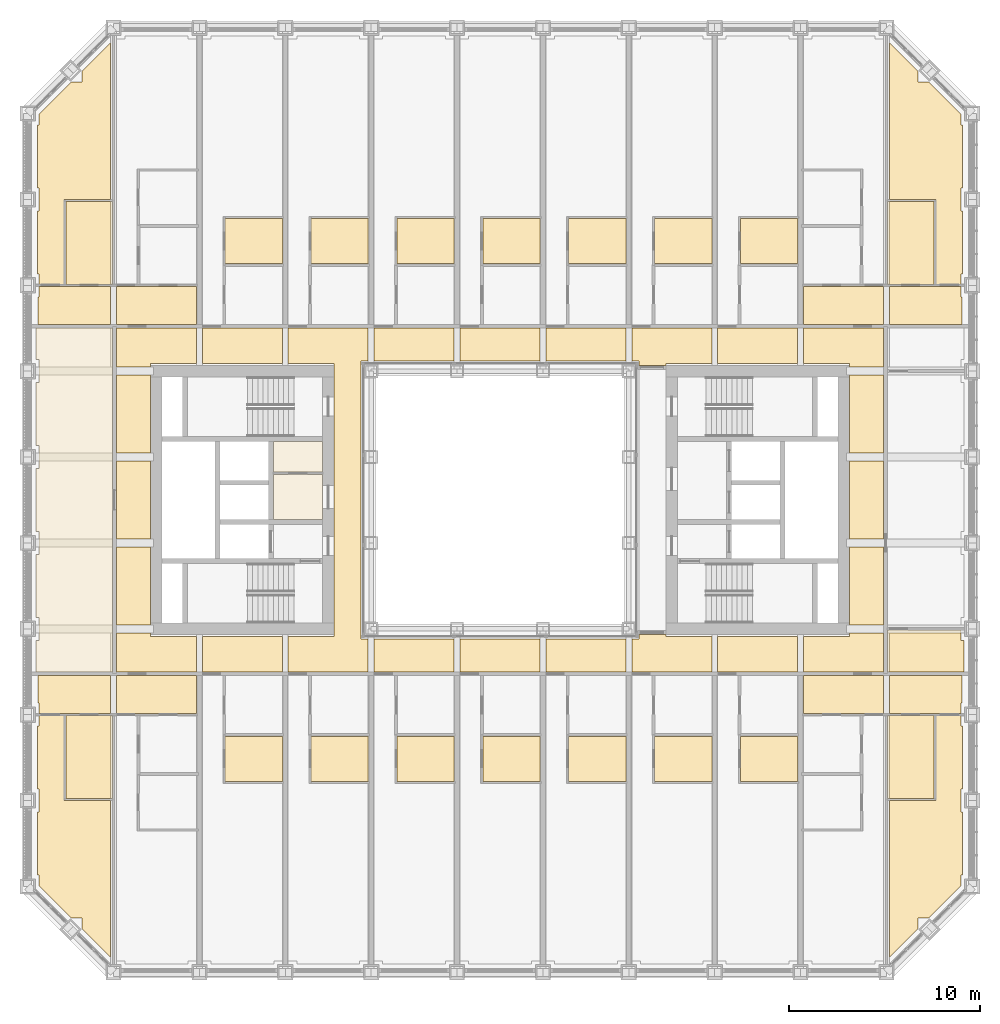
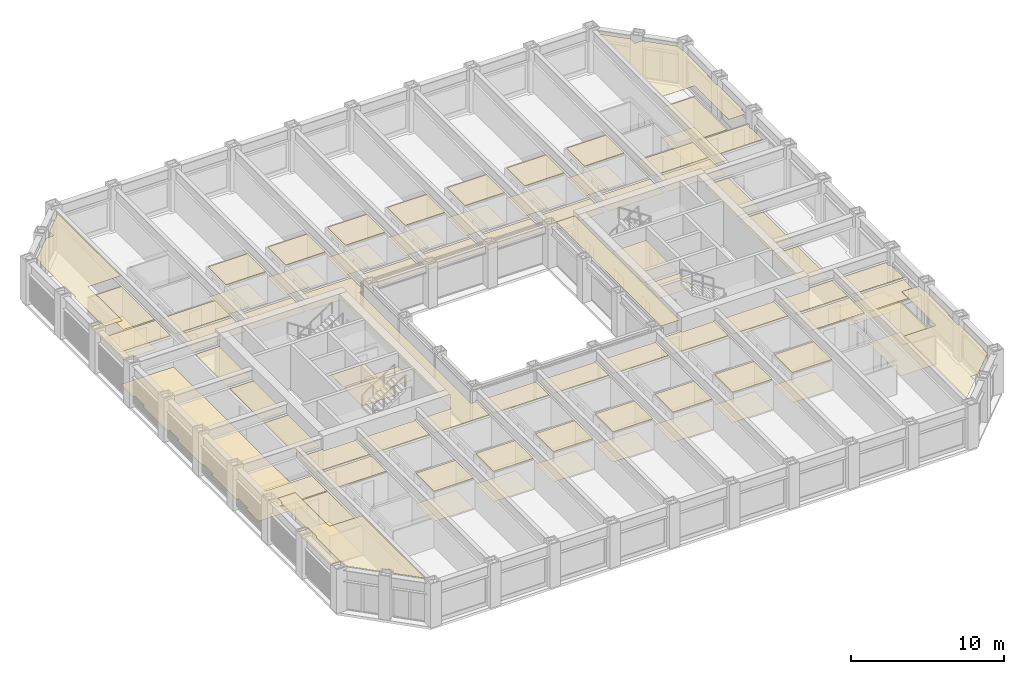
# One storey, part 19 of 21: 4 coverings.
"""IFC4 building model written with IfcOpenShell, lengths in metres."""

from ifc_helpers import new_model, si_unit, direction, frame, origin, place, context, subcontext, project, spatial, line, indexed_curve, outline, extrude, material, layer, layer_set, type_object, element, save


model = new_model("IFC4")

# Units and contexts
model_context = context("Model", 3, precision=1e-05, world=origin(), true_north=direction((0.0, 1.0)))
body_context = subcontext(model_context, "Body", "Model", "MODEL_VIEW")
ifc_project = project(units=[si_unit("LENGTHUNIT", "METRE"), si_unit("AREAUNIT", "SQUARE_METRE"), si_unit("VOLUMEUNIT", "CUBIC_METRE"), si_unit("PLANEANGLEUNIT", "RADIAN"), si_unit("MASSUNIT", "GRAM", prefix="KILO")], contexts=[model_context])

# Site, building, storey
site_placement = place(None, origin())
site = spatial("IfcSite", under=ifc_project, at=site_placement, CompositionType="ELEMENT")
building_placement = place(site_placement, origin())
building = spatial("IfcBuilding", under=site, at=building_placement, Name="Msasa Ring Tower", CompositionType="ELEMENT")
storey_placement = place(building_placement, frame((0.0, 0.0, 30.0)))
storey = spatial("IfcBuildingStorey", under=building, at=storey_placement, Name="L06", CompositionType="ELEMENT", Elevation=30.0)

# Coverings
ifc_material_1 = material(Name="Gypsum plasterboard on a steel suspension grid", Category="steel")
ifc_layer_1 = layer(ifc_material_1, 0.014892578125)
ifc_layer_set_1 = layer_set([ifc_layer_1], Name="C1 SUSPENDED PLASTERBOARD CEILING 15")
covering_type_1 = type_object("IfcCoveringType", Name="C1 SUSPENDED PLASTERBOARD CEILING 15", PredefinedType="CEILING", material=ifc_layer_set_1)
covering_1_placement = place(storey_placement, frame((0.0, 0.0, 2.39990234375)))
element("IfcCovering", 1, at=covering_1_placement, inside=storey, type_object=covering_type_1, Name="Suspended Plasterboard Ceiling 15 circulation L06", PredefinedType="CEILING", context=body_context, shape_type="SweptSolid", body=[
    extrude(outline(indexed_curve([(-24.1494140625, -11.199462890625), (-24.1494140625, -10.6494140625), (-24.199462890625, -10.6494140625), (-24.199462890625, -9.200439453125), (-20.404296875, -9.200439453125), (-20.404296875, -11.199462890625)], segments=[line(1, 2, 3, 4, 5, 6, 1)], self_intersect=False)), origin(), (0.0, 0.0, 1.0), 0.01513671875),
    extrude(outline(indexed_curve([(-24.199462890625, 9.200439453125), (-24.199462890625, 10.6494140625), (-24.1494140625, 10.6494140625), (-24.1494140625, 11.199462890625), (-20.404296875, 11.199462890625), (-20.404296875, 9.200439453125)], segments=[line(1, 2, 3, 4, 5, 6, 1)], self_intersect=False)), origin(), (0.0, 0.0, 1.0), 0.01513671875),
    extrude(outline(indexed_curve([(-20.099609375, -2.460693359375), (-18.300537109375, -2.460693359375), (-18.300537109375, -6.539306640625), (-20.099609375, -6.539306640625)], segments=[line(1, 2, 3, 4, 1)], self_intersect=False)), origin(), (0.0, 0.0, 1.0), 0.01513671875),
    extrude(outline(indexed_curve([(-20.099609375, 2.039306640625), (-18.300537109375, 2.039306640625), (-18.300537109375, -2.039306640625), (-20.099609375, -2.039306640625)], segments=[line(1, 2, 3, 4, 1)], self_intersect=False)), origin(), (0.0, 0.0, 1.0), 0.01513671875),
    extrude(outline(indexed_curve([(-20.099609375, 6.539306640625), (-18.300537109375, 6.539306640625), (-18.300537109375, 2.460693359375), (-20.099609375, 2.460693359375)], segments=[line(1, 2, 3, 4, 1)], self_intersect=False)), origin(), (0.0, 0.0, 1.0), 0.01513671875),
    extrude(outline(indexed_curve([(-20.095703125, -11.199462890625), (-20.095703125, -9.200439453125), (-15.904296875, -9.200439453125), (-15.904296875, -11.199462890625)], segments=[line(1, 2, 3, 4, 1)], self_intersect=False)), origin(), (0.0, 0.0, 1.0), 0.01513671875),
    extrude(outline(indexed_curve([(-20.095703125, -8.99951171875), (-20.095703125, -6.960693359375), (-18.300537109375, -6.960693359375), (-18.300537109375, -7.150390625), (-15.904296875, -7.150390625), (-15.904296875, -8.99951171875)], segments=[line(1, 2, 3, 4, 5, 6, 1)], self_intersect=False)), origin(), (0.0, 0.0, 1.0), 0.01513671875),
    extrude(outline(indexed_curve([(-15.904296875, 8.99951171875), (-15.904296875, 7.150390625), (-18.300537109375, 7.150390625), (-18.300537109375, 6.960693359375), (-20.095703125, 6.960693359375), (-20.095703125, 8.99951171875)], segments=[line(1, 2, 3, 4, 5, 6, 1)], self_intersect=False)), origin(), (0.0, 0.0, 1.0), 0.01513671875),
    extrude(outline(indexed_curve([(-20.095703125, 9.200439453125), (-20.095703125, 11.199462890625), (-15.904296875, 11.199462890625), (-15.904296875, 9.200439453125)], segments=[line(1, 2, 3, 4, 1)], self_intersect=False)), origin(), (0.0, 0.0, 1.0), 0.01513671875),
    extrude(outline(indexed_curve([(-15.595703125, -8.99951171875), (-15.595703125, -7.150390625), (-11.404296875, -7.150390625), (-11.404296875, -8.99951171875)], segments=[line(1, 2, 3, 4, 1)], self_intersect=False)), origin(), (0.0, 0.0, 1.0), 0.01513671875),
    extrude(outline(indexed_curve([(-11.404296875, 8.99951171875), (-11.404296875, 7.150390625), (-15.595703125, 7.150390625), (-15.595703125, 8.99951171875)], segments=[line(1, 2, 3, 4, 1)], self_intersect=False)), origin(), (0.0, 0.0, 1.0), 0.01513671875),
    extrude(outline(indexed_curve([(-11.87451171875, -3.074462890625), (-11.87451171875, -1.275390625), (-9.300537109375, -1.275390625), (-9.300537109375, -3.074462890625)], segments=[line(1, 2, 3, 4, 1)], self_intersect=False)), origin(), (0.0, 0.0, 1.0), 0.01513671875),
    extrude(outline(indexed_curve([(-11.095703125, -8.99951171875), (-11.095703125, -7.150390625), (-8.699462890625, -7.150390625), (-8.699462890625, 7.150390625), (-11.095703125, 7.150390625), (-11.095703125, 8.99951171875), (-6.904296875, 8.99951171875), (-6.904296875, 7.280029296875), (-7.275390625, 7.275390625), (-7.280517578125, 7.23046875), (-7.280517578125, -7.23046875), (-7.275390625, -7.275390625), (-6.904296875, -7.280029296875), (-6.904296875, -8.99951171875)], segments=[line(1, 2, 3, 4, 5, 6, 7, 8, 9, 10, 11, 12, 13, 14, 1)], self_intersect=False)), origin(), (0.0, 0.0, 1.0), 0.01513671875),
    extrude(outline(indexed_curve([(-6.595703125, -8.99951171875), (-6.595703125, -7.280029296875), (-2.404296875, -7.280029296875), (-2.404296875, -8.99951171875)], segments=[line(1, 2, 3, 4, 1)], self_intersect=False)), origin(), (0.0, 0.0, 1.0), 0.01513671875),
    extrude(outline(indexed_curve([(-2.404296875, 8.99951171875), (-2.404296875, 7.280029296875), (-6.595703125, 7.280029296875), (-6.595703125, 8.99951171875)], segments=[line(1, 2, 3, 4, 1)], self_intersect=False)), origin(), (0.0, 0.0, 1.0), 0.01513671875),
    extrude(outline(indexed_curve([(-2.095703125, -8.99951171875), (-2.095703125, -7.280029296875), (2.095703125, -7.280029296875), (2.095703125, -8.99951171875)], segments=[line(1, 2, 3, 4, 1)], self_intersect=False)), origin(), (0.0, 0.0, 1.0), 0.01513671875),
    extrude(outline(indexed_curve([(2.095703125, 8.99951171875), (2.095703125, 7.280029296875), (-2.095703125, 7.280029296875), (-2.095703125, 8.99951171875)], segments=[line(1, 2, 3, 4, 1)], self_intersect=False)), origin(), (0.0, 0.0, 1.0), 0.01513671875),
    extrude(outline(indexed_curve([(2.404296875, -8.99951171875), (2.404296875, -7.280029296875), (6.595703125, -7.280029296875), (6.595703125, -8.99951171875)], segments=[line(1, 2, 3, 4, 1)], self_intersect=False)), origin(), (0.0, 0.0, 1.0), 0.01513671875),
    extrude(outline(indexed_curve([(6.595703125, 8.99951171875), (6.595703125, 7.280029296875), (2.404296875, 7.280029296875), (2.404296875, 8.99951171875)], segments=[line(1, 2, 3, 4, 1)], self_intersect=False)), origin(), (0.0, 0.0, 1.0), 0.01513671875),
    extrude(outline(indexed_curve([(6.904296875, -8.99951171875), (6.904296875, -7.280029296875), (7.275390625, -7.275390625), (7.280029296875, -7.050537109375), (8.699462890625, -7.050537109375), (8.699462890625, -7.150390625), (11.095703125, -7.150390625), (11.095703125, -8.99951171875)], segments=[line(1, 2, 3, 4, 5, 6, 7, 8, 1)], self_intersect=False)), origin(), (0.0, 0.0, 1.0), 0.01513671875),
    extrude(outline(indexed_curve([(11.095703125, 8.99951171875), (11.095703125, 7.150390625), (8.699462890625, 7.150390625), (8.699462890625, 7.050537109375), (7.280029296875, 7.050537109375), (7.275390625, 7.275390625), (6.904296875, 7.280029296875), (6.904296875, 8.99951171875)], segments=[line(1, 2, 3, 4, 5, 6, 7, 8, 1)], self_intersect=False)), origin(), (0.0, 0.0, 1.0), 0.01513671875),
    extrude(outline(indexed_curve([(9.300537109375, -3.074462890625), (9.300537109375, -1.275390625), (11.87451171875, -1.275390625), (11.87451171875, -3.074462890625)], segments=[line(1, 2, 3, 4, 1)], self_intersect=False)), origin(), (0.0, 0.0, 1.0), 0.01513671875),
    extrude(outline(indexed_curve([(9.300537109375, -1.0244140625), (9.300537109375, 3.074462890625), (11.87451171875, 3.074462890625), (11.87451171875, -1.0244140625)], segments=[line(1, 2, 3, 4, 1)], self_intersect=False)), origin(), (0.0, 0.0, 1.0), 0.01513671875),
    extrude(outline(indexed_curve([(11.404296875, -8.99951171875), (11.404296875, -7.150390625), (15.595703125, -7.150390625), (15.595703125, -8.99951171875)], segments=[line(1, 2, 3, 4, 1)], self_intersect=False)), origin(), (0.0, 0.0, 1.0), 0.01513671875),
    extrude(outline(indexed_curve([(15.595703125, 8.99951171875), (15.595703125, 7.150390625), (11.404296875, 7.150390625), (11.404296875, 8.99951171875)], segments=[line(1, 2, 3, 4, 1)], self_intersect=False)), origin(), (0.0, 0.0, 1.0), 0.01513671875),
    extrude(outline(indexed_curve([(15.904296875, -11.199462890625), (15.904296875, -9.200439453125), (20.095703125, -9.200439453125), (20.095703125, -11.199462890625)], segments=[line(1, 2, 3, 4, 1)], self_intersect=False)), origin(), (0.0, 0.0, 1.0), 0.01513671875),
    extrude(outline(indexed_curve([(15.904296875, -8.99951171875), (15.904296875, -7.150390625), (18.300537109375, -7.150390625), (18.300537109375, -6.960693359375), (20.095703125, -6.960693359375), (20.095703125, -8.99951171875)], segments=[line(1, 2, 3, 4, 5, 6, 1)], self_intersect=False)), origin(), (0.0, 0.0, 1.0), 0.01513671875),
    extrude(outline(indexed_curve([(20.095703125, 8.99951171875), (20.095703125, 6.960693359375), (18.300537109375, 6.960693359375), (18.300537109375, 7.150390625), (15.904296875, 7.150390625), (15.904296875, 8.99951171875)], segments=[line(1, 2, 3, 4, 5, 6, 1)], self_intersect=False)), origin(), (0.0, 0.0, 1.0), 0.01513671875),
    extrude(outline(indexed_curve([(15.904296875, 9.200439453125), (15.904296875, 11.199462890625), (20.095703125, 11.199462890625), (20.095703125, 9.200439453125)], segments=[line(1, 2, 3, 4, 1)], self_intersect=False)), origin(), (0.0, 0.0, 1.0), 0.01513671875),
    extrude(outline(indexed_curve([(20.099609375, -6.539306640625), (18.300537109375, -6.539306640625), (18.300537109375, -2.460693359375), (20.099609375, -2.460693359375)], segments=[line(1, 2, 3, 4, 1)], self_intersect=False)), origin(), (0.0, 0.0, 1.0), 0.01513671875),
    extrude(outline(indexed_curve([(20.099609375, -2.039306640625), (18.300537109375, -2.039306640625), (18.300537109375, 2.039306640625), (20.099609375, 2.039306640625)], segments=[line(1, 2, 3, 4, 1)], self_intersect=False)), origin(), (0.0, 0.0, 1.0), 0.01513671875),
    extrude(outline(indexed_curve([(20.099609375, 2.460693359375), (18.300537109375, 2.460693359375), (18.300537109375, 6.539306640625), (20.099609375, 6.539306640625)], segments=[line(1, 2, 3, 4, 1)], self_intersect=False)), origin(), (0.0, 0.0, 1.0), 0.01513671875),
    extrude(outline(indexed_curve([(20.404296875, -11.199462890625), (20.404296875, -9.200439453125), (24.199462890625, -9.200439453125), (24.199462890625, -10.6494140625), (24.1494140625, -10.6494140625), (24.1494140625, -11.199462890625)], segments=[line(1, 2, 3, 4, 5, 6, 1)], self_intersect=False)), origin(), (0.0, 0.0, 1.0), 0.01513671875),
    extrude(outline(indexed_curve([(20.404296875, 9.200439453125), (20.404296875, 11.199462890625), (24.1494140625, 11.199462890625), (24.1494140625, 10.6494140625), (24.199462890625, 10.6494140625), (24.199462890625, 9.200439453125)], segments=[line(1, 2, 3, 4, 5, 6, 1)], self_intersect=False)), origin(), (0.0, 0.0, 1.0), 0.01513671875),
])
covering_2_placement = place(storey_placement, frame((0.0, 0.0, 3.175048828125)))
element("IfcCovering", 2, at=covering_2_placement, inside=storey, type_object=covering_type_1, Name="Suspended Plasterboard Ceiling 15 public rooms L06", PredefinedType="CEILING", context=body_context, shape_type="SweptSolid", body=[
    extrude(outline(indexed_curve([(-20.404296875, -15.74267578125), (-20.404296875, -23.95849609375), (-21.8994140625, -22.46337890625), (-21.8994140625, -21.8994140625), (-22.46337890625, -21.8994140625), (-24.1494140625, -20.21337890625), (-24.1494140625, -19.6494140625), (-24.239501953125, -19.6494140625), (-24.239501953125, -16.3505859375), (-24.1494140625, -16.3505859375), (-24.1494140625, -15.1494140625), (-24.239501953125, -15.1494140625), (-24.239501953125, -11.8505859375), (-24.1494140625, -11.8505859375), (-24.1494140625, -11.300537109375), (-22.8505859375, -11.300537109375), (-22.8505859375, -15.74267578125)], segments=[line(1, 2, 3, 4, 5, 6, 7, 8, 9, 10, 11, 12, 13, 14, 15, 16, 17, 1)], self_intersect=False)), origin(), (0.0, 0.0, 1.0), 0.014892578125),
    extrude(outline(indexed_curve([(-22.8505859375, 11.300537109375), (-24.1494140625, 11.300537109375), (-24.1494140625, 11.8505859375), (-24.239501953125, 11.8505859375), (-24.239501953125, 15.1494140625), (-24.1494140625, 15.1494140625), (-24.1494140625, 16.3505859375), (-24.239501953125, 16.3505859375), (-24.239501953125, 19.6494140625), (-24.1494140625, 19.6494140625), (-24.1494140625, 20.21337890625), (-22.46337890625, 21.8994140625), (-21.8994140625, 21.8994140625), (-21.8994140625, 22.46337890625), (-20.404296875, 23.95849609375), (-20.404296875, 15.74267578125), (-22.8505859375, 15.74267578125)], segments=[line(1, 2, 3, 4, 5, 6, 7, 8, 9, 10, 11, 12, 13, 14, 15, 16, 17, 1)], self_intersect=False)), origin(), (0.0, 0.0, 1.0), 0.014892578125),
    extrude(outline(indexed_curve([(8.699462890625, -6.849609375), (7.280029296875, -6.849609375), (7.280029296875, 6.849609375), (8.699462890625, 6.849609375)], segments=[line(1, 2, 3, 4, 1)], self_intersect=False)), origin(), (0.0, 0.0, 1.0), 0.014892578125),
    extrude(outline(indexed_curve([(22.8505859375, -15.74267578125), (22.8505859375, -11.300537109375), (24.1494140625, -11.300537109375), (24.1494140625, -11.8505859375), (24.239501953125, -11.8505859375), (24.239501953125, -15.1494140625), (24.1494140625, -15.1494140625), (24.1494140625, -16.3505859375), (24.239501953125, -16.3505859375), (24.239501953125, -19.6494140625), (24.1494140625, -19.6494140625), (24.1494140625, -20.21337890625), (22.46337890625, -21.8994140625), (21.8994140625, -21.8994140625), (21.8994140625, -22.46337890625), (20.404296875, -23.95849609375), (20.404296875, -15.74267578125)], segments=[line(1, 2, 3, 4, 5, 6, 7, 8, 9, 10, 11, 12, 13, 14, 15, 16, 17, 1)], self_intersect=False)), origin(), (0.0, 0.0, 1.0), 0.014892578125),
    extrude(outline(indexed_curve([(21.8994140625, 22.46337890625), (21.8994140625, 21.8994140625), (22.46337890625, 21.8994140625), (24.1494140625, 20.21337890625), (24.1494140625, 19.6494140625), (24.239501953125, 19.6494140625), (24.239501953125, 16.3505859375), (24.1494140625, 16.3505859375), (24.1494140625, 15.1494140625), (24.239501953125, 15.1494140625), (24.239501953125, 11.8505859375), (24.1494140625, 11.8505859375), (24.1494140625, 11.300537109375), (22.8505859375, 11.300537109375), (22.8505859375, 15.74267578125), (20.404296875, 15.74267578125), (20.404296875, 23.95849609375)], segments=[line(1, 2, 3, 4, 5, 6, 7, 8, 9, 10, 11, 12, 13, 14, 15, 16, 17, 1)], self_intersect=False)), origin(), (0.0, 0.0, 1.0), 0.014892578125),
])
ifc_material_2 = material(Name="Perforated aluminium ceiling pans on a steel grid", Category="steel")
ifc_layer_2 = layer(ifc_material_2, 0.02490234375)
ifc_layer_set_2 = layer_set([ifc_layer_2], Name="C4 PERFORATED METAL PAN CEILING 25")
covering_type_2 = type_object("IfcCoveringType", Name="C4 PERFORATED METAL PAN CEILING 25", PredefinedType="CEILING", material=ifc_layer_set_2)
covering_3_placement = place(storey_placement, frame((0.0, 0.0, 2.39990234375)))
element("IfcCovering", 3, at=covering_3_placement, inside=storey, type_object=covering_type_2, Name="Perforated Metal Pan Ceiling 25 L06", PredefinedType="CEILING", context=body_context, shape_type="SweptSolid", body=[
    extrude(outline(indexed_curve([(-22.74951171875, -11.300537109375), (-20.404296875, -11.300537109375), (-20.404296875, -15.6416015625), (-22.74951171875, -15.6416015625)], segments=[line(1, 2, 3, 4, 1)], self_intersect=False)), origin(), (0.0, 0.0, 1.0), 0.025146484375),
    extrude(outline(indexed_curve([(-22.74951171875, 15.6416015625), (-20.404296875, 15.6416015625), (-20.404296875, 11.300537109375), (-22.74951171875, 11.300537109375)], segments=[line(1, 2, 3, 4, 1)], self_intersect=False)), origin(), (0.0, 0.0, 1.0), 0.025146484375),
    extrude(outline(indexed_curve([(-14.3994140625, -12.380615234375), (-11.404296875, -12.380615234375), (-11.404296875, -14.744384765625), (-14.3994140625, -14.744384765625)], segments=[line(1, 2, 3, 4, 1)], self_intersect=False)), origin(), (0.0, 0.0, 1.0), 0.025146484375),
    extrude(outline(indexed_curve([(-14.3994140625, 14.744384765625), (-11.404296875, 14.744384765625), (-11.404296875, 12.380615234375), (-14.3994140625, 12.380615234375)], segments=[line(1, 2, 3, 4, 1)], self_intersect=False)), origin(), (0.0, 0.0, 1.0), 0.025146484375),
    extrude(outline(indexed_curve([(-9.8994140625, -12.380615234375), (-6.904296875, -12.380615234375), (-6.904296875, -14.744384765625), (-9.8994140625, -14.744384765625)], segments=[line(1, 2, 3, 4, 1)], self_intersect=False)), origin(), (0.0, 0.0, 1.0), 0.025146484375),
    extrude(outline(indexed_curve([(-6.904296875, 14.744384765625), (-6.904296875, 12.380615234375), (-9.8994140625, 12.380615234375), (-9.8994140625, 14.744384765625)], segments=[line(1, 2, 3, 4, 1)], self_intersect=False)), origin(), (0.0, 0.0, 1.0), 0.025146484375),
    extrude(outline(indexed_curve([(-5.3994140625, -12.380615234375), (-2.404296875, -12.380615234375), (-2.404296875, -14.744384765625), (-5.3994140625, -14.744384765625)], segments=[line(1, 2, 3, 4, 1)], self_intersect=False)), origin(), (0.0, 0.0, 1.0), 0.025146484375),
    extrude(outline(indexed_curve([(-2.404296875, 14.744384765625), (-2.404296875, 12.380615234375), (-5.3994140625, 12.380615234375), (-5.3994140625, 14.744384765625)], segments=[line(1, 2, 3, 4, 1)], self_intersect=False)), origin(), (0.0, 0.0, 1.0), 0.025146484375),
    extrude(outline(indexed_curve([(-0.8994140625, -12.380615234375), (2.095703125, -12.380615234375), (2.095703125, -14.744384765625), (-0.8994140625, -14.744384765625)], segments=[line(1, 2, 3, 4, 1)], self_intersect=False)), origin(), (0.0, 0.0, 1.0), 0.025146484375),
    extrude(outline(indexed_curve([(-0.8994140625, 14.744384765625), (2.095703125, 14.744384765625), (2.095703125, 12.380615234375), (-0.8994140625, 12.380615234375)], segments=[line(1, 2, 3, 4, 1)], self_intersect=False)), origin(), (0.0, 0.0, 1.0), 0.025146484375),
    extrude(outline(indexed_curve([(3.6005859375, -12.380615234375), (6.595703125, -12.380615234375), (6.595703125, -14.744384765625), (3.6005859375, -14.744384765625)], segments=[line(1, 2, 3, 4, 1)], self_intersect=False)), origin(), (0.0, 0.0, 1.0), 0.025146484375),
    extrude(outline(indexed_curve([(3.6005859375, 14.744384765625), (6.595703125, 14.744384765625), (6.595703125, 12.380615234375), (3.6005859375, 12.380615234375)], segments=[line(1, 2, 3, 4, 1)], self_intersect=False)), origin(), (0.0, 0.0, 1.0), 0.025146484375),
    extrude(outline(indexed_curve([(8.1005859375, -12.380615234375), (11.095703125, -12.380615234375), (11.095703125, -14.744384765625), (8.1005859375, -14.744384765625)], segments=[line(1, 2, 3, 4, 1)], self_intersect=False)), origin(), (0.0, 0.0, 1.0), 0.025146484375),
    extrude(outline(indexed_curve([(11.095703125, 14.744384765625), (11.095703125, 12.380615234375), (8.1005859375, 12.380615234375), (8.1005859375, 14.744384765625)], segments=[line(1, 2, 3, 4, 1)], self_intersect=False)), origin(), (0.0, 0.0, 1.0), 0.025146484375),
    extrude(outline(indexed_curve([(15.595703125, -12.380615234375), (15.595703125, -14.744384765625), (12.6005859375, -14.744384765625), (12.6005859375, -12.380615234375)], segments=[line(1, 2, 3, 4, 1)], self_intersect=False)), origin(), (0.0, 0.0, 1.0), 0.025146484375),
    extrude(outline(indexed_curve([(15.595703125, 14.744384765625), (15.595703125, 12.380615234375), (12.6005859375, 12.380615234375), (12.6005859375, 14.744384765625)], segments=[line(1, 2, 3, 4, 1)], self_intersect=False)), origin(), (0.0, 0.0, 1.0), 0.025146484375),
    extrude(outline(indexed_curve([(22.74951171875, -11.300537109375), (22.74951171875, -15.6416015625), (20.404296875, -15.6416015625), (20.404296875, -11.300537109375)], segments=[line(1, 2, 3, 4, 1)], self_intersect=False)), origin(), (0.0, 0.0, 1.0), 0.025146484375),
    extrude(outline(indexed_curve([(20.404296875, -8.99951171875), (20.404296875, -6.960693359375), (24.1494140625, -6.960693359375), (24.1494140625, -7.3505859375), (24.299560546875, -7.3505859375), (24.299560546875, -8.99951171875)], segments=[line(1, 2, 3, 4, 5, 6, 1)], self_intersect=False)), origin(), (0.0, 0.0, 1.0), 0.025146484375),
    extrude(outline(indexed_curve([(22.74951171875, 15.6416015625), (22.74951171875, 11.300537109375), (20.404296875, 11.300537109375), (20.404296875, 15.6416015625)], segments=[line(1, 2, 3, 4, 1)], self_intersect=False)), origin(), (0.0, 0.0, 1.0), 0.025146484375),
])
ifc_material_3 = material(Name="Welded vinyl safety sheet flooring", Category="vinyl")
ifc_layer_3 = layer(ifc_material_3, 0.0029296875)
ifc_layer_set_3 = layer_set([ifc_layer_3], Name="F5 RESILIENT SHEET FLOORING 3")
covering_type_3 = type_object("IfcCoveringType", Name="F5 RESILIENT SHEET FLOORING 3", PredefinedType="FLOORING", material=ifc_layer_set_3)
covering_4_placement = place(storey_placement, origin())
element("IfcCovering", 4, at=covering_4_placement, inside=storey, type_object=covering_type_3, Name="Resilient Sheet Flooring 3 L06", PredefinedType="FLOORING", context=body_context, shape_type="SweptSolid", body=[
    extrude(outline(indexed_curve([(-24.299560546875, -7.3505859375), (-24.1494140625, -7.3505859375), (-24.1494140625, -6.1494140625), (-24.299560546875, -6.1494140625), (-24.299560546875, -2.8505859375), (-24.1494140625, -2.8505859375), (-24.1494140625, -1.6494140625), (-24.299560546875, -1.6494140625), (-24.299560546875, 1.6494140625), (-24.1494140625, 1.6494140625), (-24.1494140625, 2.8505859375), (-24.299560546875, 2.8505859375), (-24.299560546875, 6.1494140625), (-24.1494140625, 6.1494140625), (-24.1494140625, 7.3505859375), (-24.299560546875, 7.3505859375), (-24.299560546875, 8.99951171875), (-20.300537109375, 8.99951171875), (-20.300537109375, -8.99951171875), (-24.299560546875, -8.99951171875)], segments=[line(1, 2, 3, 4, 5, 6, 7, 8, 9, 10, 11, 12, 13, 14, 15, 16, 17, 18, 19, 20, 1)], self_intersect=False)), origin(), (0.0, 0.0, 1.0), 0.0029296875),
    extrude(outline(indexed_curve([(-20.310546875, -15.6416015625), (-22.74951171875, -15.6416015625), (-22.74951171875, -11.300537109375), (-20.310546875, -11.300537109375)], segments=[line(1, 2, 3, 4, 1)], self_intersect=False)), origin(), (0.0, 0.0, 1.0), 0.0029296875),
    extrude(outline(indexed_curve([(-20.310546875, 11.300537109375), (-22.74951171875, 11.300537109375), (-22.74951171875, 15.6416015625), (-20.310546875, 15.6416015625)], segments=[line(1, 2, 3, 4, 1)], self_intersect=False)), origin(), (0.0, 0.0, 1.0), 0.0029296875),
    extrude(outline(indexed_curve([(-11.37548828125, -12.380615234375), (-11.37548828125, -14.744384765625), (-14.3994140625, -14.744384765625), (-14.3994140625, -12.380615234375)], segments=[line(1, 2, 3, 4, 1)], self_intersect=False)), origin(), (0.0, 0.0, 1.0), 0.0029296875),
    extrude(outline(indexed_curve([(-11.37548828125, 14.744384765625), (-11.37548828125, 12.380615234375), (-14.3994140625, 12.380615234375), (-14.3994140625, 14.744384765625)], segments=[line(1, 2, 3, 4, 1)], self_intersect=False)), origin(), (0.0, 0.0, 1.0), 0.0029296875),
    extrude(outline(indexed_curve([(-9.300537109375, 1.344482421875), (-9.300537109375, -1.0244140625), (-11.87451171875, -1.0244140625), (-11.87451171875, 1.344482421875)], segments=[line(1, 2, 3, 4, 1)], self_intersect=False)), origin(), (0.0, 0.0, 1.0), 0.0029296875),
    extrude(outline(indexed_curve([(-9.300537109375, 1.45556640625), (-11.87451171875, 1.45556640625), (-11.87451171875, 3.074462890625), (-9.300537109375, 3.074462890625)], segments=[line(1, 2, 3, 4, 1)], self_intersect=False)), origin(), (0.0, 0.0, 1.0), 0.0029296875),
    extrude(outline(indexed_curve([(-6.87548828125, -12.380615234375), (-6.87548828125, -14.744384765625), (-9.8994140625, -14.744384765625), (-9.8994140625, -12.380615234375)], segments=[line(1, 2, 3, 4, 1)], self_intersect=False)), origin(), (0.0, 0.0, 1.0), 0.0029296875),
    extrude(outline(indexed_curve([(-9.8994140625, 12.380615234375), (-9.8994140625, 14.744384765625), (-6.87548828125, 14.744384765625), (-6.87548828125, 12.380615234375)], segments=[line(1, 2, 3, 4, 1)], self_intersect=False)), origin(), (0.0, 0.0, 1.0), 0.0029296875),
    extrude(outline(indexed_curve([(-2.37548828125, -12.380615234375), (-2.37548828125, -14.744384765625), (-5.3994140625, -14.744384765625), (-5.3994140625, -12.380615234375)], segments=[line(1, 2, 3, 4, 1)], self_intersect=False)), origin(), (0.0, 0.0, 1.0), 0.0029296875),
    extrude(outline(indexed_curve([(-5.3994140625, 12.380615234375), (-5.3994140625, 14.744384765625), (-2.37548828125, 14.744384765625), (-2.37548828125, 12.380615234375)], segments=[line(1, 2, 3, 4, 1)], self_intersect=False)), origin(), (0.0, 0.0, 1.0), 0.0029296875),
    extrude(outline(indexed_curve([(2.12451171875, -12.380615234375), (2.12451171875, -14.744384765625), (-0.8994140625, -14.744384765625), (-0.8994140625, -12.380615234375)], segments=[line(1, 2, 3, 4, 1)], self_intersect=False)), origin(), (0.0, 0.0, 1.0), 0.0029296875),
    extrude(outline(indexed_curve([(-0.8994140625, 12.380615234375), (-0.8994140625, 14.744384765625), (2.12451171875, 14.744384765625), (2.12451171875, 12.380615234375)], segments=[line(1, 2, 3, 4, 1)], self_intersect=False)), origin(), (0.0, 0.0, 1.0), 0.0029296875),
    extrude(outline(indexed_curve([(6.62451171875, -12.380615234375), (6.62451171875, -14.744384765625), (3.6005859375, -14.744384765625), (3.6005859375, -12.380615234375)], segments=[line(1, 2, 3, 4, 1)], self_intersect=False)), origin(), (0.0, 0.0, 1.0), 0.0029296875),
    extrude(outline(indexed_curve([(6.62451171875, 14.744384765625), (6.62451171875, 12.380615234375), (3.6005859375, 12.380615234375), (3.6005859375, 14.744384765625)], segments=[line(1, 2, 3, 4, 1)], self_intersect=False)), origin(), (0.0, 0.0, 1.0), 0.0029296875),
    extrude(outline(indexed_curve([(11.12451171875, -12.380615234375), (11.12451171875, -14.744384765625), (8.1005859375, -14.744384765625), (8.1005859375, -12.380615234375)], segments=[line(1, 2, 3, 4, 1)], self_intersect=False)), origin(), (0.0, 0.0, 1.0), 0.0029296875),
    extrude(outline(indexed_curve([(8.1005859375, 12.380615234375), (8.1005859375, 14.744384765625), (11.12451171875, 14.744384765625), (11.12451171875, 12.380615234375)], segments=[line(1, 2, 3, 4, 1)], self_intersect=False)), origin(), (0.0, 0.0, 1.0), 0.0029296875),
    extrude(outline(indexed_curve([(12.6005859375, -14.744384765625), (12.6005859375, -12.380615234375), (15.62451171875, -12.380615234375), (15.62451171875, -14.744384765625)], segments=[line(1, 2, 3, 4, 1)], self_intersect=False)), origin(), (0.0, 0.0, 1.0), 0.0029296875),
    extrude(outline(indexed_curve([(12.6005859375, 12.380615234375), (12.6005859375, 14.744384765625), (15.62451171875, 14.744384765625), (15.62451171875, 12.380615234375)], segments=[line(1, 2, 3, 4, 1)], self_intersect=False)), origin(), (0.0, 0.0, 1.0), 0.0029296875),
    extrude(outline(indexed_curve([(20.300537109375, -6.805419921875), (24.1494140625, -6.805419921875), (24.1494140625, -7.3505859375), (24.299560546875, -7.3505859375), (24.299560546875, -8.99951171875), (20.300537109375, -8.99951171875)], segments=[line(1, 2, 3, 4, 5, 6, 1)], self_intersect=False)), origin(), (0.0, 0.0, 1.0), 0.0029296875),
    extrude(outline(indexed_curve([(22.74951171875, -15.6416015625), (20.310546875, -15.6416015625), (20.310546875, -11.300537109375), (22.74951171875, -11.300537109375)], segments=[line(1, 2, 3, 4, 1)], self_intersect=False)), origin(), (0.0, 0.0, 1.0), 0.0029296875),
    extrude(outline(indexed_curve([(22.74951171875, 11.300537109375), (20.310546875, 11.300537109375), (20.310546875, 15.6416015625), (22.74951171875, 15.6416015625)], segments=[line(1, 2, 3, 4, 1)], self_intersect=False)), origin(), (0.0, 0.0, 1.0), 0.0029296875),
])

save(model, "model.ifc")
